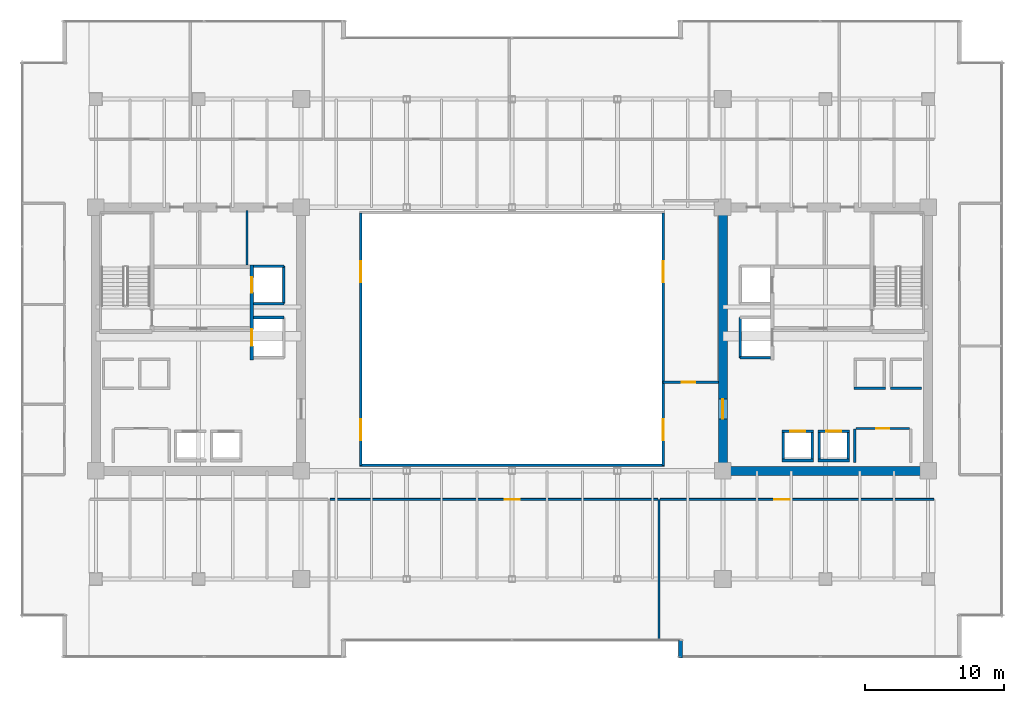
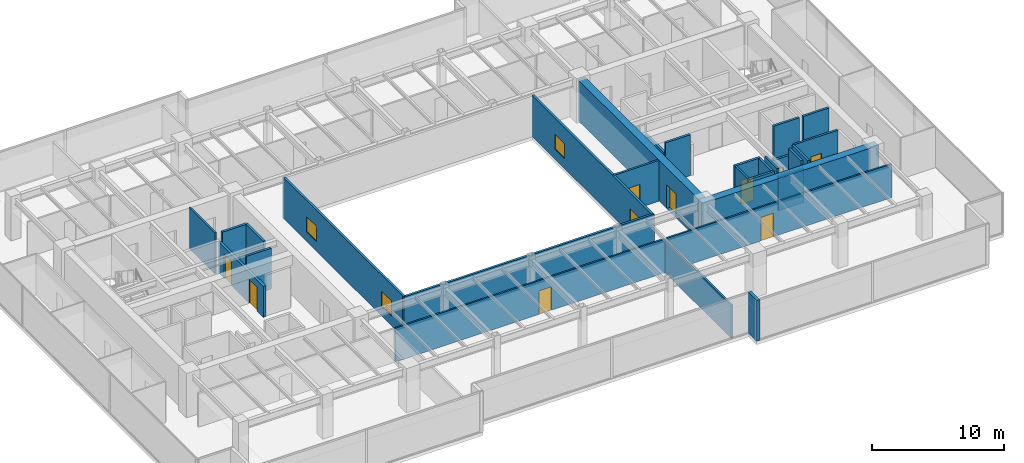
# One storey, part 26 of 33: 30 walls, 9 doors, 4 windows, 13 openings.
"""IFC4 building model written with IfcOpenShell, lengths in metres."""

from ifc_helpers import new_model, si_unit, direction, frame, frame_2d, origin, place, context, subcontext, project, spatial, rectangle, extrude, source, transform, mapped, material, layer, layer_set, type_object, type_shapes, element, fill, save


model = new_model("IFC4")

# Units and contexts
model_context = context("Model", 3, precision=1e-05, world=origin(), true_north=direction((0.0, 1.0)))
body_context = subcontext(model_context, "Body", "Model", "MODEL_VIEW")
ifc_project = project(units=[si_unit("LENGTHUNIT", "METRE"), si_unit("AREAUNIT", "SQUARE_METRE"), si_unit("VOLUMEUNIT", "CUBIC_METRE"), si_unit("PLANEANGLEUNIT", "RADIAN"), si_unit("MASSUNIT", "GRAM", prefix="KILO")], contexts=[model_context])

# Site, building, storey
site_placement = place(None, origin())
site = spatial("IfcSite", under=ifc_project, at=site_placement, CompositionType="ELEMENT")
building_placement = place(site_placement, origin())
building = spatial("IfcBuilding", under=site, at=building_placement, Name="Haelvirn Gate Laboratories", CompositionType="ELEMENT")
storey_placement = place(building_placement, frame((0.0, 0.0, 133.800048828125)))
storey = spatial("IfcBuildingStorey", under=building, at=storey_placement, Name="L32", CompositionType="ELEMENT", Elevation=133.800048828125)

# Walls
ifc_material_1 = material(Name="Thermally-broken bronze aluminium rainscreen & mineral wool", Category="aluminium")
ifc_layer_1 = layer(ifc_material_1, 0.280029296875, Name="EW-TERR-280")
ifc_layer_set_1 = layer_set([ifc_layer_1], Name="Thermally-broken bronze aluminium rainscreen & mineral wool")
wall_type_1 = type_object("IfcWallType", Name="EW-TERR-280", PredefinedType="STANDARD", material=ifc_layer_set_1)
wall_1_placement = place(storey_placement, frame((49.5400390625, 2.587890625, 0.0), z_axis=(0.0, 0.0, 1.0), x_axis=(0.0, -1.0, 0.0)))
element("IfcWall", 1, at=wall_1_placement, inside=storey, type_object=wall_type_1, Name="L32 Atrium Recess Bronze Return Wall 03", PredefinedType="STANDARD", context=body_context, shape_type="SweptSolid", body=[
    extrude(rectangle(XDim=1.287841796875, YDim=0.280029296875, at=frame_2d((0.64404296875, 0.0))), origin(), (0.0, 0.0, 1.0), 3.7900390625),
])
ifc_material_2 = material(Name="Double-layer acoustic gypsum laboratory partition", Category="gypsum")
ifc_layer_2 = layer(ifc_material_2, 0.159912109375, Name="IW-ACOUST-160")
ifc_layer_set_2 = layer_set([ifc_layer_2], Name="Double-layer acoustic gypsum laboratory partition")
wall_type_2 = type_object("IfcWallType", Name="IW-ACOUST-160", PredefinedType="PARTITIONING", material=ifc_layer_set_2)
wall_2_placement = place(storey_placement, frame((48.0, 2.610107421875, 0.0), z_axis=(0.0, 0.0, 1.0), x_axis=(0.0, 1.0, 0.0)))
element("IfcWall", 2, at=wall_2_placement, inside=storey, type_object=wall_type_2, Name="L32 Interior Wall IW-L32-SDIV-02", PredefinedType="PARTITIONING", context=body_context, shape_type="SweptSolid", body=[
    extrude(rectangle(XDim=10.1298828125, YDim=0.159912109375, at=frame_2d((5.06494140625, 0.0))), origin(), (0.0, 0.0, 1.0), 3.074951171875),
])

# Wall, opening, door
ifc_material_3 = material(Name="Fire-rated acoustic gypsum board partition", Category="gypsum")
ifc_layer_3 = layer(ifc_material_3, 0.175048828125, Name="IW-ACOUST-180")
ifc_layer_set_3 = layer_set([ifc_layer_3], Name="Fire-rated acoustic gypsum board partition")
wall_type_3 = type_object("IfcWallType", Name="IW-ACOUST-180", PredefinedType="PARTITIONING", material=ifc_layer_set_3)
wall_3_placement = place(storey_placement, frame((48.300048828125, 21.179931640625, 0.0), z_axis=(0.0, 0.0, 1.0), x_axis=(1.0, 0.0, 0.0)))
wall_3 = element("IfcWall", 3, at=wall_3_placement, inside=storey, type_object=wall_type_3, Name="L32 Interior Wall IW-L32-ASEM-S", PredefinedType="PARTITIONING", context=body_context, shape_type="SweptSolid", body=[
    extrude(rectangle(XDim=3.974853515625, YDim=0.175048828125, at=frame_2d((1.9873046875, 0.0))), origin(), (0.0, 0.0, 1.0), 3.7900390625),
])
opening_1_placement = place(wall_3_placement, frame((1.35009765625, 0.0, 0.0)))
opening_1 = element("IfcOpeningElement", 4, at=opening_1_placement, cuts=wall_3, Name="Opening FD4", PredefinedType="OPENING", context=body_context, shape_type="SweptSolid", body=[
    extrude(rectangle(XDim=0.949951171875, YDim=2.14990234375, at=frame_2d((0.47509765625, 1.074951171875))), frame((0.0, 0.09765625, 0.0), z_axis=(0.0, -1.0, 0.0), x_axis=(1.0, 0.0, 0.0)), (0.0, 0.0, 1.0), 0.195068359375),
])
ifc_material_4 = material(Name="Fire-rated steel SM355 core service door", Category="steel")
door_type_1 = type_object("IfcDoorType", Name="DR-FD-950", OperationType="NOTDEFINED", PredefinedType="DOOR", material=ifc_material_4)
shared_shape_1 = source(origin(), body_context, "Body", "SweptSolid", [
    extrude(rectangle(XDim=0.949951171875, YDim=2.14990234375, at=frame_2d((0.47509765625, 1.074951171875))), frame((0.0, 0.02490234375, 0.0), z_axis=(0.0, -1.0, 0.0), x_axis=(1.0, 0.0, 0.0)), (0.0, 0.0, 1.0), 0.050048828125),
])
type_shapes(door_type_1, [shared_shape_1])
door_1_placement = place(opening_1_placement, origin())
door_1 = element("IfcDoor", 5, at=door_1_placement, inside=storey, type_object=door_type_1, Name="L32 Atrium Bioinformatics Suite Door", OperationType="SINGLE_SWING_LEFT", OverallHeight=2.14990234375, OverallWidth=0.949951171875, PredefinedType="DOOR", context=body_context, shape_type="MappedRepresentation", body=[
    mapped(shared_shape_1, transform((0.0, 0.0, 0.0), scale=1.0)),
])
fill(opening_1, door_1)

# Wall, openings, windows
ifc_material_5 = material(Name="Tempered fire-rated borosilicate glass & anodised aluminium", Category="aluminium")
ifc_layer_4 = layer(ifc_material_5, 0.195068359375, Name="IW-GLAZ-200")
ifc_layer_set_4 = layer_set([ifc_layer_4], Name="Tempered fire-rated borosilicate glass & anodised aluminium")
wall_type_4 = type_object("IfcWallType", Name="IW-GLAZ-200", PredefinedType="SOLIDWALL", material=ifc_layer_set_4)
wall_4_placement = place(storey_placement, frame((26.5, 15.199951171875, 0.0), z_axis=(0.0, 0.0, 1.0), x_axis=(0.0, 1.0, 0.0)))
wall_4 = element("IfcWall", 6, at=wall_4_placement, inside=storey, type_object=wall_type_4, Name="L32 Interior Wall IW-L32-ATRIUM-W", PredefinedType="SOLIDWALL", context=body_context, shape_type="SweptSolid", body=[
    extrude(rectangle(XDim=18.199951171875, YDim=0.195068359375, at=frame_2d((9.10009765625, 0.0))), origin(), (0.0, 0.0, 1.0), 3.7900390625),
])
opening_2_placement = place(wall_4_placement, frame((1.800048828125, 0.0, 0.89990234375)))
opening_2 = element("IfcOpeningElement", 7, at=opening_2_placement, cuts=wall_4, Name="Opening W5", PredefinedType="OPENING", context=body_context, shape_type="SweptSolid", body=[
    extrude(rectangle(XDim=1.5, YDim=1.39990234375, at=frame_2d((0.75, 0.699951171875))), frame((0.0, 0.107421875, 0.0), z_axis=(0.0, -1.0, 0.0), x_axis=(1.0, 0.0, 0.0)), (0.0, 0.0, 1.0), 0.215087890625),
])
opening_3_placement = place(wall_4_placement, frame((13.199951171875, 0.0, 0.89990234375)))
opening_3 = element("IfcOpeningElement", 8, at=opening_3_placement, cuts=wall_4, Name="Opening W5", PredefinedType="OPENING", context=body_context, shape_type="SweptSolid", body=[
    extrude(rectangle(XDim=1.5, YDim=1.39990234375, at=frame_2d((0.75, 0.699951171875))), frame((0.0, 0.107421875, 0.0), z_axis=(0.0, -1.0, 0.0), x_axis=(1.0, 0.0, 0.0)), (0.0, 0.0, 1.0), 0.215087890625),
])
ifc_material_6 = material(Name="Fire-rated EI 120 borosilicate atrium vision glazing", Category="glass")
window_type = type_object("IfcWindowType", Name="WN-ATR-1500", PartitioningType="SINGLE_PANEL", PredefinedType="WINDOW", material=ifc_material_6)
shared_shape_2 = source(origin(), body_context, "Body", "SweptSolid", [
    extrude(rectangle(XDim=1.5, YDim=1.39990234375, at=frame_2d((0.75, 0.699951171875))), frame((0.0, 0.030029296875, 0.0), z_axis=(0.0, -1.0, 0.0), x_axis=(1.0, 0.0, 0.0)), (0.0, 0.0, 1.0), 0.06005859375),
])
type_shapes(window_type, [shared_shape_2])
window_1_placement = place(opening_2_placement, origin())
window_1 = element("IfcWindow", 9, at=window_1_placement, inside=storey, type_object=window_type, Name="L32 Atrium Observation Window 1", OverallHeight=1.39990234375, OverallWidth=1.5, PartitioningType="SINGLE_PANEL", PredefinedType="WINDOW", context=body_context, shape_type="MappedRepresentation", body=[
    mapped(shared_shape_2, transform((0.0, 0.0, 0.0), scale=1.0)),
])
fill(opening_2, window_1)
window_2_placement = place(opening_3_placement, origin())
window_2 = element("IfcWindow", 10, at=window_2_placement, inside=storey, type_object=window_type, Name="L32 Atrium Observation Window 2", OverallHeight=1.39990234375, OverallWidth=1.5, PartitioningType="SINGLE_PANEL", PredefinedType="WINDOW", context=body_context, shape_type="MappedRepresentation", body=[
    mapped(shared_shape_2, transform((0.0, 0.0, 0.0), scale=1.0)),
])
fill(opening_3, window_2)

wall_5_placement = place(storey_placement, frame((48.300048828125, 15.199951171875, 0.0), z_axis=(0.0, 0.0, 1.0), x_axis=(0.0, 1.0, 0.0)))
wall_5 = element("IfcWall", 11, at=wall_5_placement, inside=storey, type_object=wall_type_4, Name="L32 Interior Wall IW-L32-ATRIUM-E", PredefinedType="SOLIDWALL", context=body_context, shape_type="SweptSolid", body=[
    extrude(rectangle(XDim=18.199951171875, YDim=0.195068359375, at=frame_2d((9.10009765625, 0.0))), origin(), (0.0, 0.0, 1.0), 3.7900390625),
])
opening_4_placement = place(wall_5_placement, frame((1.800048828125, 0.0, 0.89990234375)))
opening_4 = element("IfcOpeningElement", 12, at=opening_4_placement, cuts=wall_5, Name="Opening W5", PredefinedType="OPENING", context=body_context, shape_type="SweptSolid", body=[
    extrude(rectangle(XDim=1.5, YDim=1.39990234375, at=frame_2d((0.75, 0.699951171875))), frame((0.0, 0.107421875, 0.0), z_axis=(0.0, -1.0, 0.0), x_axis=(1.0, 0.0, 0.0)), (0.0, 0.0, 1.0), 0.215087890625),
])
opening_5_placement = place(wall_5_placement, frame((13.199951171875, 0.0, 0.89990234375)))
opening_5 = element("IfcOpeningElement", 13, at=opening_5_placement, cuts=wall_5, Name="Opening W5", PredefinedType="OPENING", context=body_context, shape_type="SweptSolid", body=[
    extrude(rectangle(XDim=1.5, YDim=1.39990234375, at=frame_2d((0.75, 0.699951171875))), frame((0.0, 0.107421875, 0.0), z_axis=(0.0, -1.0, 0.0), x_axis=(1.0, 0.0, 0.0)), (0.0, 0.0, 1.0), 0.215087890625),
])
window_3_placement = place(opening_4_placement, origin())
window_3 = element("IfcWindow", 14, at=window_3_placement, inside=storey, type_object=window_type, Name="L32 Atrium Observation Window 1", OverallHeight=1.39990234375, OverallWidth=1.5, PartitioningType="SINGLE_PANEL", PredefinedType="WINDOW", context=body_context, shape_type="MappedRepresentation", body=[
    mapped(shared_shape_2, transform((0.0, 0.0, 0.0), scale=1.0)),
])
fill(opening_4, window_3)
window_4_placement = place(opening_5_placement, origin())
window_4 = element("IfcWindow", 15, at=window_4_placement, inside=storey, type_object=window_type, Name="L32 Atrium Observation Window 2", OverallHeight=1.39990234375, OverallWidth=1.5, PartitioningType="SINGLE_PANEL", PredefinedType="WINDOW", context=body_context, shape_type="MappedRepresentation", body=[
    mapped(shared_shape_2, transform((0.0, 0.0, 0.0), scale=1.0)),
])
fill(opening_5, window_4)

# Wall
wall_6_placement = place(storey_placement, frame((26.39990234375, 15.199951171875, 0.0), z_axis=(0.0, 0.0, 1.0), x_axis=(1.0, 0.0, 0.0)))
element("IfcWall", 16, at=wall_6_placement, inside=storey, type_object=wall_type_4, Name="L32 Interior Wall IW-L32-ATRIUM-S", PredefinedType="SOLIDWALL", context=body_context, shape_type="SweptSolid", body=[
    extrude(rectangle(XDim=22.0, YDim=0.195068359375, at=frame_2d((11.0, 0.0))), origin(), (0.0, 0.0, 1.0), 3.7900390625),
])

# Wall, opening, door
ifc_material_7 = material(Name="Acoustic mineral-wool gypsum board partition", Category="gypsum")
ifc_layer_5 = layer(ifc_material_7, 0.139892578125, Name="IW-PART-140")
ifc_layer_set_5 = layer_set([ifc_layer_5], Name="Acoustic mineral-wool gypsum board partition")
wall_type_5 = type_object("IfcWallType", Name="IW-PART-140", PredefinedType="PARTITIONING", material=ifc_layer_set_5)
wall_7_placement = place(storey_placement, frame((24.280029296875, 12.739990234375, 0.0), z_axis=(0.0, 0.0, 1.0), x_axis=(1.0, 0.0, 0.0)))
wall_7 = element("IfcWall", 17, at=wall_7_placement, inside=storey, type_object=wall_type_5, Name="L32 Interior Wall IW-L32-SCORR-02", PredefinedType="PARTITIONING", context=body_context, shape_type="SweptSolid", body=[
    extrude(rectangle(XDim=23.639892578125, YDim=0.139892578125, at=frame_2d((11.81982421875, 0.0))), origin(), (0.0, 0.0, 1.0), 3.125),
])
opening_6_placement = place(wall_7_placement, frame((12.580322265625, 0.0, 0.0)))
opening_6 = element("IfcOpeningElement", 18, at=opening_6_placement, cuts=wall_7, Name="Opening D1", PredefinedType="OPENING", context=body_context, shape_type="SweptSolid", body=[
    extrude(rectangle(XDim=1.10009765625, YDim=2.179931640625, at=frame_2d((0.550048828125, 1.08984375))), frame((0.0, 0.080078125, 0.0), z_axis=(0.0, -1.0, 0.0), x_axis=(1.0, 0.0, 0.0)), (0.0, 0.0, 1.0), 0.159912109375),
])
ifc_material_8 = material(Name="Vision-panel acoustic solid-core timber lab door", Category="wood")
door_type_2 = type_object("IfcDoorType", Name="DR-LAB-1100", OperationType="NOTDEFINED", PredefinedType="DOOR", material=ifc_material_8)
shared_shape_3 = source(origin(), body_context, "Body", "SweptSolid", [
    extrude(rectangle(XDim=1.10009765625, YDim=2.179931640625, at=frame_2d((0.550048828125, 1.08984375))), frame((0.0, 0.02490234375, 0.0), z_axis=(0.0, -1.0, 0.0), x_axis=(1.0, 0.0, 0.0)), (0.0, 0.0, 1.0), 0.050048828125),
])
type_shapes(door_type_2, [shared_shape_3])
door_2_placement = place(opening_6_placement, origin())
door_2 = element("IfcDoor", 19, at=door_2_placement, inside=storey, type_object=door_type_2, Name="L32 Translational Data Office Door S2", OperationType="SINGLE_SWING_RIGHT", OverallHeight=2.179931640625, OverallWidth=1.10009765625, PredefinedType="DOOR", context=body_context, shape_type="MappedRepresentation", body=[
    mapped(shared_shape_3, transform((0.0, 0.0, 0.0), scale=1.0)),
])
fill(opening_6, door_2)

wall_8_placement = place(storey_placement, frame((48.080078125, 12.739990234375, 0.0), z_axis=(0.0, 0.0, 1.0), x_axis=(1.0, 0.0, 0.0)))
wall_8 = element("IfcWall", 20, at=wall_8_placement, inside=storey, type_object=wall_type_5, Name="L32 Interior Wall IW-L32-SCORR-03", PredefinedType="PARTITIONING", context=body_context, shape_type="SweptSolid", body=[
    extrude(rectangle(XDim=19.739990234375, YDim=0.139892578125, at=frame_2d((9.8701171875, 0.0))), origin(), (0.0, 0.0, 1.0), 3.125),
])
opening_7_placement = place(wall_8_placement, frame((8.24365234375, 0.0, 0.0)))
opening_7 = element("IfcOpeningElement", 21, at=opening_7_placement, cuts=wall_8, Name="Opening D1", PredefinedType="OPENING", context=body_context, shape_type="SweptSolid", body=[
    extrude(rectangle(XDim=1.10009765625, YDim=2.179931640625, at=frame_2d((0.550048828125, 1.08984375))), frame((0.0, 0.080078125, 0.0), z_axis=(0.0, -1.0, 0.0), x_axis=(1.0, 0.0, 0.0)), (0.0, 0.0, 1.0), 0.159912109375),
])
door_3_placement = place(opening_7_placement, origin())
door_3 = element("IfcDoor", 22, at=door_3_placement, inside=storey, type_object=door_type_2, Name="L32 Peer-Review Seminar Room Door S3", OperationType="SINGLE_SWING_LEFT", OverallHeight=2.179931640625, OverallWidth=1.10009765625, PredefinedType="DOOR", context=body_context, shape_type="MappedRepresentation", body=[
    mapped(shared_shape_3, transform((0.0, 0.0, 0.0), scale=1.0)),
])
fill(opening_7, door_3)

# Walls
ifc_material_9 = material(Name="Cement-board restroom plumbing chase wall", Category="gypsum")
ifc_layer_6 = layer(ifc_material_9, 0.155029296875, Name="IW-PLUMB-160")
ifc_layer_set_6 = layer_set([ifc_layer_6], Name="Cement-board restroom plumbing chase wall")
wall_type_6 = type_object("IfcWallType", Name="IW-PLUMB-160", PredefinedType="PLUMBINGWALL", material=ifc_layer_set_6)
wall_9_placement = place(storey_placement, frame((18.2900390625, 29.64990234375, 0.0), z_axis=(0.0, 0.0, 1.0), x_axis=(0.0, 1.0, 0.0)))
element("IfcWall", 23, at=wall_9_placement, inside=storey, type_object=wall_type_6, Name="L32 Interior Wall IW-L32-W-CDIV-2", PredefinedType="PLUMBINGWALL", context=body_context, shape_type="SweptSolid", body=[
    extrude(rectangle(XDim=3.93017578125, YDim=0.155029296875, at=frame_2d((1.965087890625, 0.0))), origin(), (0.0, 0.0, 1.0), 3.7900390625),
])
ifc_material_10 = material(Name="Concrete C40/50", Category="concrete")
ifc_layer_7 = layer(ifc_material_10, 0.179931640625, Name="IW-SHAFT-180")
ifc_layer_set_7 = layer_set([ifc_layer_7], Name="Concrete C40/50")
wall_type_7 = type_object("IfcWallType", Name="IW-SHAFT-180", PredefinedType="SOLIDWALL", material=ifc_layer_set_7)
for number, where, z_axis, x_axis, name in (
    (24, (59.550048828125, 15.64990234375, 0.0), (0.0, 0.0, 1.0), (0.0, 1.0, 0.0), "L32 Interior Wall IW-L32-PL7-SD"),
    (25, (61.64990234375, 15.64990234375, 0.0), (0.0, 0.0, 1.0), (0.0, 1.0, 0.0), "L32 Interior Wall IW-L32-PL7-SDE"),
    (26, (56.949951171875, 15.64990234375, 0.0), (0.0, 0.0, 1.0), (0.0, 1.0, 0.0), "L32 Interior Wall IW-L32-PL8-SD"),
    (27, (59.050048828125, 15.64990234375, 0.0), (0.0, 0.0, 1.0), (0.0, 1.0, 0.0), "L32 Interior Wall IW-L32-PL8-SDE"),
):
    element("IfcWall", number, at=place(storey_placement, frame(where, z_axis=z_axis, x_axis=x_axis)), inside=storey, type_object=wall_type_7, Name=name, PredefinedType="SOLIDWALL", context=body_context, shape_type="SweptSolid", body=[
        extrude(rectangle(XDim=1.900146484375, YDim=0.179931640625, at=frame_2d((0.9501953125, 0.0))), origin(), (0.0, 0.0, 1.0), 3.7900390625),
    ])

# Wall, opening, door
wall_10_placement = place(storey_placement, frame((62.199951171875, 17.85009765625, 0.0), z_axis=(0.0, 0.0, 1.0), x_axis=(1.0, 0.0, 0.0)))
wall_10 = element("IfcWall", 28, at=wall_10_placement, inside=storey, type_object=wall_type_7, Name="L32 Interior Wall IW-L32-E-FREED-LN-1", PredefinedType="SOLIDWALL", context=body_context, shape_type="SweptSolid", body=[
    extrude(rectangle(XDim=3.85009765625, YDim=0.179931640625, at=frame_2d((1.925048828125, 0.0))), origin(), (0.0, 0.0, 1.0), 3.7900390625),
])
opening_8_placement = place(wall_10_placement, frame((1.449951171875, 0.0, 0.0)))
opening_8 = element("IfcOpeningElement", 29, at=opening_8_placement, cuts=wall_10, Name="Opening FD4", PredefinedType="OPENING", context=body_context, shape_type="SweptSolid", body=[
    extrude(rectangle(XDim=0.949951171875, YDim=2.14990234375, at=frame_2d((0.47509765625, 1.074951171875))), frame((0.0, 0.10009765625, 0.0), z_axis=(0.0, -1.0, 0.0), x_axis=(1.0, 0.0, 0.0)), (0.0, 0.0, 1.0), 0.199951171875),
])
door_4_placement = place(opening_8_placement, origin())
door_4 = element("IfcDoor", 30, at=door_4_placement, inside=storey, type_object=door_type_1, Name="L32 Cryo-Dewar & Sterile Glassware Room Door", OperationType="SINGLE_SWING_LEFT", OverallHeight=2.14990234375, OverallWidth=0.949951171875, PredefinedType="DOOR", context=body_context, shape_type="MappedRepresentation", body=[
    mapped(shared_shape_1, transform((0.0, 0.0, 0.0), scale=1.0)),
])
fill(opening_8, door_4)

# Walls
wall_11_placement = place(storey_placement, frame((62.110107421875, 15.39990234375, 0.0), z_axis=(0.0, 0.0, 1.0), x_axis=(0.0, 1.0, 0.0)))
element("IfcWall", 31, at=wall_11_placement, inside=storey, type_object=wall_type_7, Name="L32 Interior Wall IW-L32-E-FREED-LE-1", PredefinedType="SOLIDWALL", context=body_context, shape_type="SweptSolid", body=[
    extrude(rectangle(XDim=2.400146484375, YDim=0.179931640625, at=frame_2d((1.2001953125, 0.0))), origin(), (0.0, 0.0, 1.0), 3.7900390625),
])
ifc_layer_8 = layer(ifc_material_10, 0.199951171875, Name="IW-SHAFT-200")
ifc_layer_set_8 = layer_set([ifc_layer_8], Name="Concrete C40/50")
wall_type_8 = type_object("IfcWallType", Name="IW-SHAFT-200", PredefinedType="SOLIDWALL", material=ifc_layer_set_8)
wall_12_placement = place(storey_placement, frame((20.949951171875, 26.85009765625, 0.0), z_axis=(0.0, 0.0, 1.0), x_axis=(0.0, 1.0, 0.0)))
element("IfcWall", 32, at=wall_12_placement, inside=storey, type_object=wall_type_8, Name="L32 Interior Wall IW-L32-FL1-BK", PredefinedType="SOLIDWALL", context=body_context, shape_type="SweptSolid", body=[
    extrude(rectangle(XDim=2.699951171875, YDim=0.199951171875, at=frame_2d((1.35009765625, 0.0))), origin(), (0.0, 0.0, 1.0), 3.7900390625),
])
wall_13_placement = place(storey_placement, frame((18.760009765625, 29.550048828125, 0.0), z_axis=(0.0, 0.0, 1.0), x_axis=(1.0, 0.0, 0.0)))
element("IfcWall", 33, at=wall_13_placement, inside=storey, type_object=wall_type_8, Name="L32 Interior Wall IW-L32-FL1-N", PredefinedType="SOLIDWALL", context=body_context, shape_type="SweptSolid", body=[
    extrude(rectangle(XDim=2.18994140625, YDim=0.199951171875, at=frame_2d((1.094970703125, 0.0))), origin(), (0.0, 0.0, 1.0), 3.7900390625),
])
wall_14_placement = place(storey_placement, frame((18.760009765625, 26.85009765625, 0.0), z_axis=(0.0, 0.0, 1.0), x_axis=(1.0, 0.0, 0.0)))
element("IfcWall", 34, at=wall_14_placement, inside=storey, type_object=wall_type_8, Name="L32 Interior Wall IW-L32-FL1-S", PredefinedType="SOLIDWALL", context=body_context, shape_type="SweptSolid", body=[
    extrude(rectangle(XDim=2.18994140625, YDim=0.199951171875, at=frame_2d((1.094970703125, 0.0))), origin(), (0.0, 0.0, 1.0), 3.18701171875),
])
wall_15_placement = place(storey_placement, frame((18.760009765625, 25.85009765625, 0.0), z_axis=(0.0, 0.0, 1.0), x_axis=(1.0, 0.0, 0.0)))
element("IfcWall", 35, at=wall_15_placement, inside=storey, type_object=wall_type_8, Name="L32 Interior Wall IW-L32-SL1-N", PredefinedType="SOLIDWALL", context=body_context, shape_type="SweptSolid", body=[
    extrude(rectangle(XDim=2.18994140625, YDim=0.199951171875, at=frame_2d((1.094970703125, 0.0))), origin(), (0.0, 0.0, 1.0), 3.7900390625),
])

# Wall, opening, door
wall_16_placement = place(storey_placement, frame((59.469970703125, 17.64990234375, 0.0), z_axis=(0.0, 0.0, 1.0), x_axis=(1.0, 0.0, 0.0)))
wall_16 = element("IfcWall", 36, at=wall_16_placement, inside=storey, type_object=wall_type_8, Name="L32 Interior Wall IW-L32-PL7-FR", PredefinedType="SOLIDWALL", context=body_context, shape_type="SweptSolid", body=[
    extrude(rectangle(XDim=2.260009765625, YDim=0.199951171875, at=frame_2d((1.1298828125, 0.0))), origin(), (0.0, 0.0, 1.0), 3.125),
])
opening_9_placement = place(wall_16_placement, frame((0.580078125, 0.0, 0.0)))
opening_9 = element("IfcOpeningElement", 37, at=opening_9_placement, cuts=wall_16, Name="Opening LD2", PredefinedType="OPENING", context=body_context, shape_type="SweptSolid", body=[
    extrude(rectangle(XDim=1.10009765625, YDim=2.219970703125, at=frame_2d((0.550048828125, 1.10986328125))), frame((0.0, 0.10986328125, 0.0), z_axis=(0.0, -1.0, 0.0), x_axis=(1.0, 0.0, 0.0)), (0.0, 0.0, 1.0), 0.219970703125),
])
ifc_material_11 = material(Name="Bronze stainless 316L sliding lift landing door")
door_type_3 = type_object("IfcDoorType", Name="DR-LD-1100", OperationType="NOTDEFINED", PredefinedType="USERDEFINED", material=ifc_material_11)
shared_shape_4 = source(origin(), body_context, "Body", "SweptSolid", [
    extrude(rectangle(XDim=1.10009765625, YDim=2.219970703125, at=frame_2d((0.550048828125, 1.10986328125))), frame((0.0, 0.02490234375, 0.0), z_axis=(0.0, -1.0, 0.0), x_axis=(1.0, 0.0, 0.0)), (0.0, 0.0, 1.0), 0.050048828125),
])
type_shapes(door_type_3, [shared_shape_4])
door_5_placement = place(opening_9_placement, origin())
door_5 = element("IfcDoor", 38, at=door_5_placement, inside=storey, type_object=door_type_3, Name="L32 Passenger Lift PL7 Landing Door", ObjectType="LANDING_DOOR", OperationType="SLIDING_TO_LEFT", OverallHeight=2.219970703125, OverallWidth=1.10009765625, PredefinedType="USERDEFINED", context=body_context, shape_type="MappedRepresentation", body=[
    mapped(shared_shape_4, transform((0.0, 0.0, 0.0), scale=1.0)),
])
fill(opening_9, door_5)

# Wall
wall_17_placement = place(storey_placement, frame((59.469970703125, 15.550048828125, 0.0), z_axis=(0.0, 0.0, 1.0), x_axis=(1.0, 0.0, 0.0)))
element("IfcWall", 39, at=wall_17_placement, inside=storey, type_object=wall_type_8, Name="L32 Interior Wall IW-L32-PL7-BK", PredefinedType="SOLIDWALL", context=body_context, shape_type="SweptSolid", body=[
    extrude(rectangle(XDim=2.260009765625, YDim=0.199951171875, at=frame_2d((1.1298828125, 0.0))), origin(), (0.0, 0.0, 1.0), 3.125),
])

# Wall, opening, door
wall_18_placement = place(storey_placement, frame((56.8701171875, 17.64990234375, 0.0), z_axis=(0.0, 0.0, 1.0), x_axis=(1.0, 0.0, 0.0)))
wall_18 = element("IfcWall", 40, at=wall_18_placement, inside=storey, type_object=wall_type_8, Name="L32 Interior Wall IW-L32-PL8-FR", PredefinedType="SOLIDWALL", context=body_context, shape_type="SweptSolid", body=[
    extrude(rectangle(XDim=2.259765625, YDim=0.199951171875, at=frame_2d((1.1298828125, 0.0))), origin(), (0.0, 0.0, 1.0), 3.7900390625),
])
opening_10_placement = place(wall_18_placement, frame((0.580078125, 0.0, 0.0)))
opening_10 = element("IfcOpeningElement", 41, at=opening_10_placement, cuts=wall_18, Name="Opening LD2", PredefinedType="OPENING", context=body_context, shape_type="SweptSolid", body=[
    extrude(rectangle(XDim=1.10009765625, YDim=2.219970703125, at=frame_2d((0.550048828125, 1.10986328125))), frame((0.0, 0.10986328125, 0.0), z_axis=(0.0, -1.0, 0.0), x_axis=(1.0, 0.0, 0.0)), (0.0, 0.0, 1.0), 0.219970703125),
])
door_6_placement = place(opening_10_placement, origin())
door_6 = element("IfcDoor", 42, at=door_6_placement, inside=storey, type_object=door_type_3, Name="L32 Passenger Lift PL8 Landing Door", ObjectType="LANDING_DOOR", OperationType="SLIDING_TO_RIGHT", OverallHeight=2.219970703125, OverallWidth=1.10009765625, PredefinedType="USERDEFINED", context=body_context, shape_type="MappedRepresentation", body=[
    mapped(shared_shape_4, transform((0.0, 0.0, 0.0), scale=1.0)),
])
fill(opening_10, door_6)

# Walls
wall_19_placement = place(storey_placement, frame((56.8701171875, 15.550048828125, 0.0), z_axis=(0.0, 0.0, 1.0), x_axis=(1.0, 0.0, 0.0)))
element("IfcWall", 43, at=wall_19_placement, inside=storey, type_object=wall_type_8, Name="L32 Interior Wall IW-L32-PL8-BK", PredefinedType="SOLIDWALL", context=body_context, shape_type="SweptSolid", body=[
    extrude(rectangle(XDim=2.259765625, YDim=0.199951171875, at=frame_2d((1.1298828125, 0.0))), origin(), (0.0, 0.0, 1.0), 3.7900390625),
])
for number, where, z_axis, x_axis, name in (
    (44, (64.669921875, 20.75, 0.0), (0.0, 0.0, 1.0), (1.0, 0.0, 0.0), "L32 Interior Wall IW-L32-PL11-FR"),
    (45, (62.070068359375, 20.75, 0.0), (0.0, 0.0, 1.0), (1.0, 0.0, 0.0), "L32 Interior Wall IW-L32-PL12-FR"),
):
    element("IfcWall", number, at=place(storey_placement, frame(where, z_axis=z_axis, x_axis=x_axis)), inside=storey, type_object=wall_type_8, Name=name, PredefinedType="SOLIDWALL", context=body_context, shape_type="SweptSolid", body=[
        extrude(rectangle(XDim=2.260009765625, YDim=0.199951171875, at=frame_2d((1.1298828125, 0.0))), origin(), (0.0, 0.0, 1.0), 3.7900390625),
    ])
wall_20_placement = place(storey_placement, frame((53.85009765625, 22.949951171875, 0.0), z_axis=(0.0, 0.0, 1.0), x_axis=(0.0, 1.0, 0.0)))
element("IfcWall", 46, at=wall_20_placement, inside=storey, type_object=wall_type_8, Name="L32 Interior Wall IW-L32-SL2-BK", PredefinedType="SOLIDWALL", context=body_context, shape_type="SweptSolid", body=[
    extrude(rectangle(XDim=2.900146484375, YDim=0.199951171875, at=frame_2d((1.4501953125, 0.0))), origin(), (0.0, 0.0, 1.0), 2.875),
])
wall_21_placement = place(storey_placement, frame((53.85009765625, 22.949951171875, 0.0), z_axis=(0.0, 0.0, 1.0), x_axis=(1.0, 0.0, 0.0)))
element("IfcWall", 47, at=wall_21_placement, inside=storey, type_object=wall_type_8, Name="L32 Interior Wall IW-L32-SL2-S", PredefinedType="SOLIDWALL", context=body_context, shape_type="SweptSolid", body=[
    extrude(rectangle(XDim=2.18994140625, YDim=0.199951171875, at=frame_2d((1.094970703125, 0.0))), origin(), (0.0, 0.0, 1.0), 3.7900390625),
])

# Wall, openings, doors
ifc_layer_9 = layer(ifc_material_10, 0.239990234375, Name="IW-SHAFT-240")
ifc_layer_set_9 = layer_set([ifc_layer_9], Name="Concrete C40/50")
wall_type_9 = type_object("IfcWallType", Name="IW-SHAFT-240", PredefinedType="SOLIDWALL", material=ifc_layer_set_9)
wall_22_placement = place(storey_placement, frame((18.639892578125, 22.800048828125, 0.0), z_axis=(0.0, 0.0, 1.0), x_axis=(0.0, 1.0, 0.0)))
wall_22 = element("IfcWall", 48, at=wall_22_placement, inside=storey, type_object=wall_type_9, Name="L32 Interior Wall IW-L32-W-FF-E", PredefinedType="SOLIDWALL", context=body_context, shape_type="SweptSolid", body=[
    extrude(rectangle(XDim=6.849853515625, YDim=0.239990234375, at=frame_2d((3.4248046875, 0.0))), origin(), (0.0, 0.0, 1.0), 2.875),
])
opening_11_placement = place(wall_22_placement, frame((4.85009765625, 0.0, 0.0)))
opening_11 = element("IfcOpeningElement", 49, at=opening_11_placement, cuts=wall_22, Name="Opening LD2", PredefinedType="OPENING", context=body_context, shape_type="SweptSolid", body=[
    extrude(rectangle(XDim=1.10009765625, YDim=2.219970703125, at=frame_2d((0.550048828125, 1.10986328125))), frame((0.0, 0.1298828125, 0.0), z_axis=(0.0, -1.0, 0.0), x_axis=(1.0, 0.0, 0.0)), (0.0, 0.0, 1.0), 0.260009765625),
])
opening_12_placement = place(wall_22_placement, frame((1.0, 0.0, 0.0)))
opening_12 = element("IfcOpeningElement", 50, at=opening_12_placement, cuts=wall_22, Name="Opening LD1", PredefinedType="OPENING", context=body_context, shape_type="SweptSolid", body=[
    extrude(rectangle(XDim=1.199951171875, YDim=2.219970703125, at=frame_2d((0.60009765625, 1.10986328125))), frame((0.0, 0.1298828125, 0.0), z_axis=(0.0, -1.0, 0.0), x_axis=(1.0, 0.0, 0.0)), (0.0, 0.0, 1.0), 0.260009765625),
])
door_7_placement = place(opening_11_placement, origin())
door_7 = element("IfcDoor", 51, at=door_7_placement, inside=storey, type_object=door_type_3, Name="L32 Firefighting Lift FL1 Landing Door", ObjectType="LANDING_DOOR", OperationType="SLIDING_TO_LEFT", OverallHeight=2.219970703125, OverallWidth=1.10009765625, PredefinedType="USERDEFINED", context=body_context, shape_type="MappedRepresentation", body=[
    mapped(shared_shape_4, transform((0.0, 0.0, 0.0), scale=1.0)),
])
fill(opening_11, door_7)
ifc_material_12 = material(Name="Stainless steel 316L sliding goods landing door", Category="steel")
door_type_4 = type_object("IfcDoorType", Name="DR-LD-1200", OperationType="NOTDEFINED", PredefinedType="USERDEFINED", material=ifc_material_12)
shared_shape_5 = source(origin(), body_context, "Body", "SweptSolid", [
    extrude(rectangle(XDim=1.199951171875, YDim=2.219970703125, at=frame_2d((0.60009765625, 1.10986328125))), frame((0.0, 0.02490234375, 0.0), z_axis=(0.0, -1.0, 0.0), x_axis=(1.0, 0.0, 0.0)), (0.0, 0.0, 1.0), 0.050048828125),
])
type_shapes(door_type_4, [shared_shape_5])
door_8_placement = place(opening_12_placement, origin())
door_8 = element("IfcDoor", 52, at=door_8_placement, inside=storey, type_object=door_type_4, Name="L32 Service Lift SL1 Landing Door", ObjectType="LANDING_DOOR", OperationType="SLIDING_TO_RIGHT", OverallHeight=2.219970703125, OverallWidth=1.199951171875, PredefinedType="USERDEFINED", context=body_context, shape_type="MappedRepresentation", body=[
    mapped(shared_shape_5, transform((0.0, 0.0, 0.0), scale=1.0)),
])
fill(opening_12, door_8)

# Wall
ifc_material_13 = material(Name="Concrete C60/75", Category="concrete")
ifc_layer_10 = layer(ifc_material_13, 0.64990234375, Name="SW-CORE-650")
ifc_layer_set_10 = layer_set([ifc_layer_10], Name="Concrete C60/75")
wall_type_10 = type_object("IfcWallType", Name="SW-CORE-650", PredefinedType="SHEAR", material=ifc_layer_set_10)
wall_23_placement = place(storey_placement, frame((52.27490234375, 14.800048828125, 0.0), z_axis=(0.0, 0.0, 1.0), x_axis=(1.0, 0.0, 0.0)))
element("IfcWall", 53, at=wall_23_placement, inside=storey, type_object=wall_type_10, Name="L32 E Core Shear Wall S", PredefinedType="SHEAR", context=body_context, shape_type="SweptSolid", body=[
    extrude(rectangle(XDim=15.4501953125, YDim=0.64990234375, at=frame_2d((7.72509765625, 0.0))), origin(), (0.0, 0.0, 1.0), 3.7900390625),
])

# Wall, opening, door
wall_24_placement = place(storey_placement, frame((52.60009765625, 15.125, 0.0), z_axis=(0.0, 0.0, 1.0), x_axis=(0.0, 1.0, 0.0)))
wall_24 = element("IfcWall", 54, at=wall_24_placement, inside=storey, type_object=wall_type_10, Name="L32 E Core Shear Wall W", PredefinedType="SHEAR", context=body_context, shape_type="SweptSolid", body=[
    extrude(rectangle(XDim=18.35009765625, YDim=0.64990234375, at=frame_2d((9.175048828125, 0.0))), origin(), (0.0, 0.0, 1.0), 3.7900390625),
])
opening_13_placement = place(wall_24_placement, frame((3.425048828125, 0.0, 0.0)))
opening_13 = element("IfcOpeningElement", 55, at=opening_13_placement, cuts=wall_24, Name="Opening FD1", PredefinedType="OPENING", context=body_context, shape_type="SweptSolid", body=[
    extrude(rectangle(XDim=1.419921875, YDim=2.199951171875, at=frame_2d((0.7099609375, 1.10009765625))), frame((0.0, 0.3349609375, 0.0), z_axis=(0.0, -1.0, 0.0), x_axis=(1.0, 0.0, 0.0)), (0.0, 0.0, 1.0), 0.669921875),
])
ifc_material_14 = material(Name="Fire-rated double steel SM355 lobby door", Category="steel")
door_type_5 = type_object("IfcDoorType", Name="DR-FD-1400", OperationType="NOTDEFINED", PredefinedType="DOOR", material=ifc_material_14)
shared_shape_6 = source(origin(), body_context, "Body", "SweptSolid", [
    extrude(rectangle(XDim=1.419921875, YDim=2.199951171875, at=frame_2d((0.7099609375, 1.10009765625))), frame((0.0, 0.02490234375, 0.0), z_axis=(0.0, -1.0, 0.0), x_axis=(1.0, 0.0, 0.0)), (0.0, 0.0, 1.0), 0.050048828125),
])
type_shapes(door_type_5, [shared_shape_6])
door_9_placement = place(opening_13_placement, origin())
door_9 = element("IfcDoor", 56, at=door_9_placement, inside=storey, type_object=door_type_5, Name="L32 East Core Lift Lobby Fire Door", OperationType="DOUBLE_DOOR_SINGLE_SWING", OverallHeight=2.199951171875, OverallWidth=1.419921875, PredefinedType="DOOR", context=body_context, shape_type="MappedRepresentation", body=[
    mapped(shared_shape_6, transform((0.0, 0.0, 0.0), scale=1.0)),
])
fill(opening_13, door_9)

save(model, "model.ifc")
